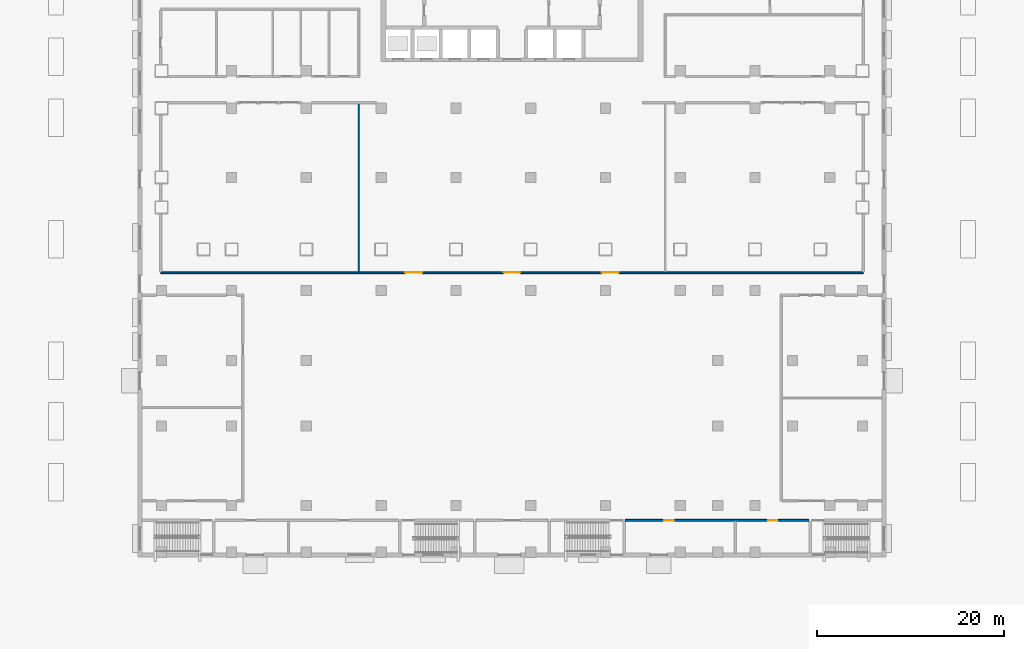
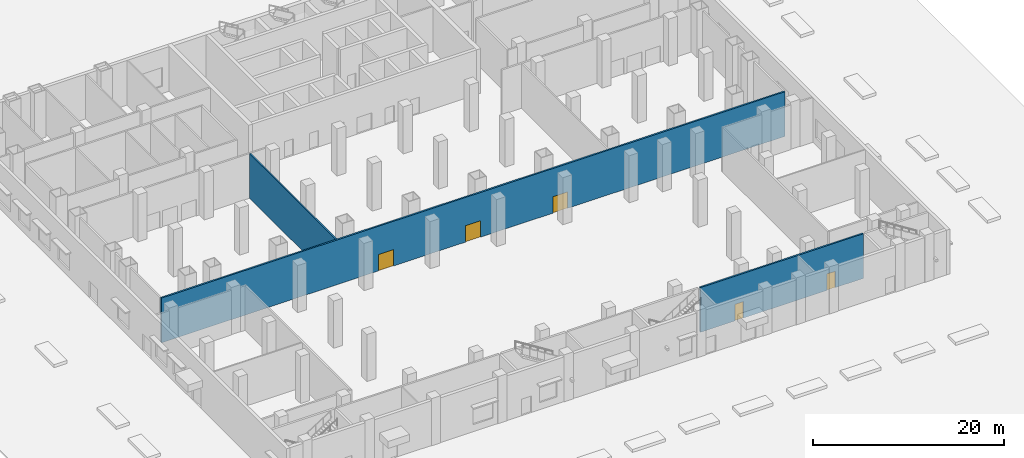
# One storey, part 5 of 18: 5 doors, 3 walls, 5 openings.
"""IFC4 building model written with IfcOpenShell, lengths in metres."""

from ifc_helpers import new_model, si_unit, direction, frame, frame_2d, origin, place, context, subcontext, project, spatial, rectangle, extrude, material, layer, layer_set, type_object, element, fill, save


model = new_model("IFC4")

# Units and contexts
model_context = context("Model", 3, precision=1e-05, world=origin(), true_north=direction((0.0, 1.0)))
body_context = subcontext(model_context, "Body", "Model", "MODEL_VIEW")
ifc_project = project(units=[si_unit("LENGTHUNIT", "METRE"), si_unit("AREAUNIT", "SQUARE_METRE"), si_unit("VOLUMEUNIT", "CUBIC_METRE"), si_unit("PLANEANGLEUNIT", "RADIAN"), si_unit("MASSUNIT", "GRAM", prefix="KILO")], contexts=[model_context])

# Site, building, storey
site_placement = place(None, origin())
site = spatial("IfcSite", under=ifc_project, at=site_placement, CompositionType="ELEMENT")
building_placement = place(site_placement, origin())
building = spatial("IfcBuilding", under=site, at=building_placement, Name="Vidyagriha Tower", CompositionType="ELEMENT")
storey_placement = place(building_placement, origin())
storey = spatial("IfcBuildingStorey", under=building, at=storey_placement, Name="L00", CompositionType="ELEMENT", Elevation=0.0)

# Wall, openings, doors
ifc_material_1 = material(Name="Fire rated gypsum board on light gauge framing")
ifc_layer_1 = layer(ifc_material_1, 0.199951171875)
ifc_layer_set_1 = layer_set([ifc_layer_1], Name="Fire rated gypsum board on light gauge framing")
wall_type_1 = type_object("IfcWallType", Name="Fire Rated Corridor Wall 200", PredefinedType="PARTITIONING", material=ifc_layer_set_1)
wall_1_placement = place(storey_placement, frame((12.125, -46.10009765625, 0.0)))
wall_1 = element("IfcWall", 1, at=wall_1_placement, inside=storey, type_object=wall_type_1, Name="L00 Fire Rated Corridor Wall 200 002", PredefinedType="PARTITIONING", context=body_context, shape_type="SweptSolid", body=[
    extrude(rectangle(XDim=19.64990234375, YDim=0.199951171875, at=frame_2d((9.824951171875, 0.0))), origin(), (0.0, 0.0, 1.0), 5.699951171875),
])
opening_1_placement = place(wall_1_placement, frame((4.175048828125, 0.0, 0.0)))
opening_1 = element("IfcOpeningElement", 2, at=opening_1_placement, cuts=wall_1, Name="Opening D00-26", PredefinedType="OPENING", context=body_context, shape_type="SweptSolid", body=[
    extrude(rectangle(XDim=1.0, YDim=2.10009765625, at=frame_2d((0.5, 1.050048828125))), frame((0.0, 0.10986328125, 0.0), z_axis=(0.0, -1.0, 0.0), x_axis=(1.0, 0.0, 0.0)), (0.0, 0.0, 1.0), 0.219970703125),
])
opening_2_placement = place(wall_1_placement, frame((15.27490234375, 0.0, 0.0)))
opening_2 = element("IfcOpeningElement", 3, at=opening_2_placement, cuts=wall_1, Name="Opening D00-27", PredefinedType="OPENING", context=body_context, shape_type="SweptSolid", body=[
    extrude(rectangle(XDim=1.0, YDim=2.10009765625, at=frame_2d((0.5, 1.050048828125))), frame((0.0, 0.10986328125, 0.0), z_axis=(0.0, -1.0, 0.0), x_axis=(1.0, 0.0, 0.0)), (0.0, 0.0, 1.0), 0.219970703125),
])
ifc_material_2 = material(Name="Steel fire door set", Category="steel")
door_type_1 = type_object("IfcDoorType", Name="Podium Door 1000x2100 EI 30", OperationType="NOTDEFINED", PredefinedType="DOOR", material=ifc_material_2)
door_1_placement = place(opening_1_placement, frame((1.0, 0.0, 0.0), z_axis=(0.0, 0.0, 1.0), x_axis=(-1.0, 0.0, 0.0)))
door_1 = element("IfcDoor", 4, at=door_1_placement, inside=storey, type_object=door_type_1, Name="L00 door D00-26", OperationType="SINGLE_SWING_LEFT", OverallHeight=2.10009765625, OverallWidth=1.0, PredefinedType="DOOR", context=body_context, shape_type="SweptSolid", body=[
    extrude(rectangle(XDim=1.0, YDim=2.10009765625, at=frame_2d((0.5, 1.050048828125))), frame((0.0, 0.02490234375, 0.0), z_axis=(0.0, -1.0, 0.0), x_axis=(1.0, 0.0, 0.0)), (0.0, 0.0, 1.0), 0.050048828125),
])
fill(opening_1, door_1)
door_2_placement = place(opening_2_placement, frame((1.0, 0.0, 0.0), z_axis=(0.0, 0.0, 1.0), x_axis=(-1.0, 0.0, 0.0)))
door_2 = element("IfcDoor", 5, at=door_2_placement, inside=storey, type_object=door_type_1, Name="L00 door D00-27", OperationType="SINGLE_SWING_RIGHT", OverallHeight=2.10009765625, OverallWidth=1.0, PredefinedType="DOOR", context=body_context, shape_type="SweptSolid", body=[
    extrude(rectangle(XDim=1.0, YDim=2.10009765625, at=frame_2d((0.5, 1.050048828125))), frame((0.0, 0.02490234375, 0.0), z_axis=(0.0, -1.0, 0.0), x_axis=(1.0, 0.0, 0.0)), (0.0, 0.0, 1.0), 0.050048828125),
])
fill(opening_2, door_2)

wall_2_placement = place(storey_placement, frame((-37.599853515625, -19.60009765625, 0.0)))
wall_2 = element("IfcWall", 6, at=wall_2_placement, inside=storey, type_object=wall_type_1, Name="L00 Fire Rated Corridor Wall 200 021", PredefinedType="PARTITIONING", context=body_context, shape_type="SweptSolid", body=[
    extrude(rectangle(XDim=75.19970703125, YDim=0.199951171875, at=frame_2d((37.599853515625, 0.0))), origin(), (0.0, 0.0, 1.0), 5.699951171875),
])
opening_3_placement = place(wall_2_placement, frame((26.203857421875, 0.0, 0.0)))
opening_3 = element("IfcOpeningElement", 7, at=opening_3_placement, cuts=wall_2, Name="Opening D00-46", PredefinedType="OPENING", context=body_context, shape_type="SweptSolid", body=[
    extrude(rectangle(XDim=1.800048828125, YDim=2.10009765625, at=frame_2d((0.89990234375, 1.050048828125))), frame((0.0, 0.10986328125, 0.0), z_axis=(0.0, -1.0, 0.0), x_axis=(1.0, 0.0, 0.0)), (0.0, 0.0, 1.0), 0.219970703125),
])
opening_4_placement = place(wall_2_placement, frame((36.699951171875, 0.0, 0.0)))
opening_4 = element("IfcOpeningElement", 8, at=opening_4_placement, cuts=wall_2, Name="Opening D00-47", PredefinedType="OPENING", context=body_context, shape_type="SweptSolid", body=[
    extrude(rectangle(XDim=1.800048828125, YDim=2.10009765625, at=frame_2d((0.89990234375, 1.050048828125))), frame((0.0, 0.10986328125, 0.0), z_axis=(0.0, -1.0, 0.0), x_axis=(1.0, 0.0, 0.0)), (0.0, 0.0, 1.0), 0.219970703125),
])
opening_5_placement = place(wall_2_placement, frame((47.19580078125, 0.0, 0.0)))
opening_5 = element("IfcOpeningElement", 9, at=opening_5_placement, cuts=wall_2, Name="Opening D00-48", PredefinedType="OPENING", context=body_context, shape_type="SweptSolid", body=[
    extrude(rectangle(XDim=1.800048828125, YDim=2.10009765625, at=frame_2d((0.89990234375, 1.050048828125))), frame((0.0, 0.10986328125, 0.0), z_axis=(0.0, -1.0, 0.0), x_axis=(1.0, 0.0, 0.0)), (0.0, 0.0, 1.0), 0.219970703125),
])
ifc_material_3 = material(Name="Steel fire door set", Category="steel")
door_type_2 = type_object("IfcDoorType", Name="Podium Door 1800x2100 EI 30 Pair", OperationType="NOTDEFINED", PredefinedType="DOOR", material=ifc_material_3)
door_3_placement = place(opening_3_placement, frame((1.800048828125, 0.0, 0.0), z_axis=(0.0, 0.0, 1.0), x_axis=(-1.0, 0.0, 0.0)))
door_3 = element("IfcDoor", 10, at=door_3_placement, inside=storey, type_object=door_type_2, Name="L00 door D00-46", OperationType="DOUBLE_DOOR_SINGLE_SWING", OverallHeight=2.10009765625, OverallWidth=1.800048828125, PredefinedType="DOOR", context=body_context, shape_type="SweptSolid", body=[
    extrude(rectangle(XDim=1.800048828125, YDim=2.10009765625, at=frame_2d((0.89990234375, 1.050048828125))), frame((0.0, 0.02490234375, 0.0), z_axis=(0.0, -1.0, 0.0), x_axis=(1.0, 0.0, 0.0)), (0.0, 0.0, 1.0), 0.050048828125),
])
fill(opening_3, door_3)
door_4_placement = place(opening_4_placement, frame((1.800048828125, 0.0, 0.0), z_axis=(0.0, 0.0, 1.0), x_axis=(-1.0, 0.0, 0.0)))
door_4 = element("IfcDoor", 11, at=door_4_placement, inside=storey, type_object=door_type_2, Name="L00 door D00-47", OperationType="DOUBLE_DOOR_SINGLE_SWING", OverallHeight=2.10009765625, OverallWidth=1.800048828125, PredefinedType="DOOR", context=body_context, shape_type="SweptSolid", body=[
    extrude(rectangle(XDim=1.800048828125, YDim=2.10009765625, at=frame_2d((0.89990234375, 1.050048828125))), frame((0.0, 0.02490234375, 0.0), z_axis=(0.0, -1.0, 0.0), x_axis=(1.0, 0.0, 0.0)), (0.0, 0.0, 1.0), 0.050048828125),
])
fill(opening_4, door_4)
door_5_placement = place(opening_5_placement, frame((1.800048828125, 0.0, 0.0), z_axis=(0.0, 0.0, 1.0), x_axis=(-1.0, 0.0, 0.0)))
door_5 = element("IfcDoor", 12, at=door_5_placement, inside=storey, type_object=door_type_2, Name="L00 door D00-48", OperationType="DOUBLE_DOOR_SINGLE_SWING", OverallHeight=2.10009765625, OverallWidth=1.800048828125, PredefinedType="DOOR", context=body_context, shape_type="SweptSolid", body=[
    extrude(rectangle(XDim=1.800048828125, YDim=2.10009765625, at=frame_2d((0.89990234375, 1.050048828125))), frame((0.0, 0.02490234375, 0.0), z_axis=(0.0, -1.0, 0.0), x_axis=(1.0, 0.0, 0.0)), (0.0, 0.0, 1.0), 0.050048828125),
])
fill(opening_5, door_5)

# Wall
ifc_material_4 = material(Name="Gypsum board on light gauge framing")
ifc_layer_2 = layer(ifc_material_4, 0.14990234375)
ifc_layer_set_2 = layer_set([ifc_layer_2], Name="Gypsum board on light gauge framing")
wall_type_2 = type_object("IfcWallType", Name="Gypsum Board Partition 150", PredefinedType="PARTITIONING", material=ifc_layer_set_2)
wall_3_placement = place(storey_placement, frame((-16.39990234375, -19.5, 0.0), z_axis=(0.0, 0.0, 1.0), x_axis=(0.0, 1.0, 0.0)))
element("IfcWall", 13, at=wall_3_placement, inside=storey, type_object=wall_type_2, Name="L00 Gypsum Board Partition 150 062", PredefinedType="PARTITIONING", context=body_context, shape_type="SweptSolid", body=[
    extrude(rectangle(XDim=18.0, YDim=0.14990234375, at=frame_2d((9.0, 0.0))), origin(), (0.0, 0.0, 1.0), 5.699951171875),
])

save(model, "model.ifc")
